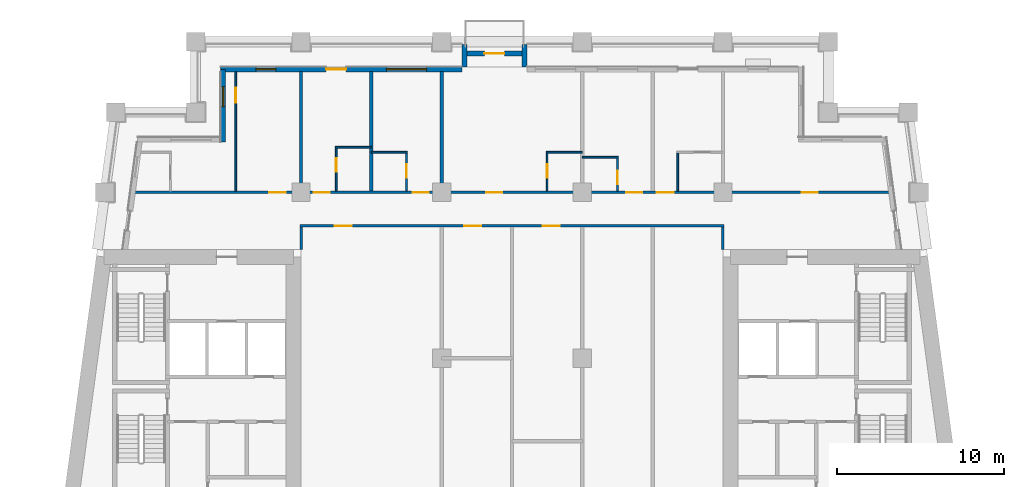
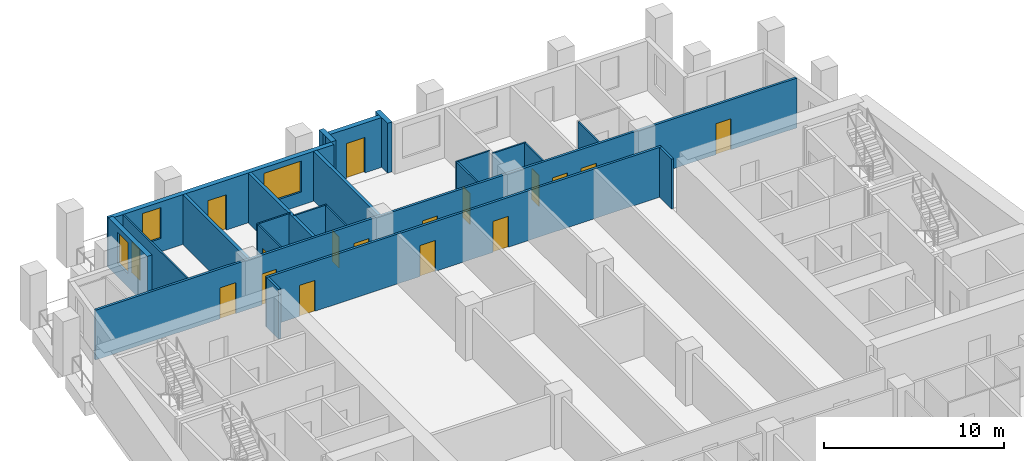
# One storey, part 6 of 12: 22 walls, 17 doors, 3 windows, 20 openings.
"""IFC4 building model written with IfcOpenShell, lengths in metres."""

from ifc_helpers import new_model, si_unit, direction, frame, frame_2d, origin, place, context, subcontext, project, spatial, rectangle, extrude, material, layer, layer_set, type_object, element, fill, save


model = new_model("IFC4")

# Units and contexts
model_context = context("Model", 3, precision=1e-05, world=origin(), true_north=direction((0.0, 1.0)))
body_context = subcontext(model_context, "Body", "Model", "MODEL_VIEW")
ifc_project = project(units=[si_unit("LENGTHUNIT", "METRE"), si_unit("AREAUNIT", "SQUARE_METRE"), si_unit("VOLUMEUNIT", "CUBIC_METRE"), si_unit("PLANEANGLEUNIT", "RADIAN"), si_unit("MASSUNIT", "GRAM", prefix="KILO")], contexts=[model_context])

# Site, building, storey
site_placement = place(None, origin())
site = spatial("IfcSite", under=ifc_project, at=site_placement, CompositionType="ELEMENT")
building_placement = place(site_placement, origin())
building = spatial("IfcBuilding", under=site, at=building_placement, Name="Candeia Pilgrim Tower and Theatre", CompositionType="ELEMENT")
storey_placement = place(building_placement, frame((0.0, 0.0, 162.60009765625)))
storey = spatial("IfcBuildingStorey", under=building, at=storey_placement, Name="L38", CompositionType="ELEMENT", Elevation=162.60009765625)

# Wall, openings, door, windows
ifc_material_1 = material(Name="Ceramic block masonry", Category="masonry")
ifc_layer_1 = layer(ifc_material_1, 0.300048828125)
ifc_layer_set_1 = layer_set([ifc_layer_1], Name="EW1 glazing-line wall 300")
wall_type_1 = type_object("IfcWallType", Name="EW1 glazing-line wall 300", PredefinedType="SOLIDWALL", material=ifc_layer_set_1)
wall_1_placement = place(storey_placement, frame((110.39990234375, 143.14990234375, 0.0), z_axis=(0.0, 0.0, 1.0), x_axis=(-1.0, 0.0, 0.0)))
wall_1 = element("IfcWall", 1, at=wall_1_placement, inside=storey, type_object=wall_type_1, Name="External wall L38-6.1", PredefinedType="SOLIDWALL", context=body_context, shape_type="SweptSolid", body=[
    extrude(rectangle(XDim=14.39990234375, YDim=0.300048828125, at=frame_2d((7.199951171875, 0.0))), origin(), (0.0, 0.0, 1.0), 3.3798828125),
])
opening_1_placement = place(wall_1_placement, frame((2.10009765625, 0.0, 0.89990234375)))
opening_1 = element("IfcOpeningElement", 2, at=opening_1_placement, cuts=wall_1, Name="Opening W-A", PredefinedType="OPENING", context=body_context, shape_type="SweptSolid", body=[
    extrude(rectangle(XDim=2.39990234375, YDim=2.10009765625, at=frame_2d((1.199951171875, 1.050048828125))), frame((0.0, 0.16015625, 0.0), z_axis=(0.0, -1.0, 0.0), x_axis=(1.0, 0.0, 0.0)), (0.0, 0.0, 1.0), 0.320068359375),
])
opening_2_placement = place(wall_1_placement, frame((6.89990234375, 0.0, 0.0)))
opening_2 = element("IfcOpeningElement", 3, at=opening_2_placement, cuts=wall_1, Name="Opening L38-ED368", PredefinedType="OPENING", context=body_context, shape_type="SweptSolid", body=[
    extrude(rectangle(XDim=1.199951171875, YDim=2.39990234375, at=frame_2d((0.60009765625, 1.199951171875))), frame((0.0, 0.16015625, 0.0), z_axis=(0.0, -1.0, 0.0), x_axis=(1.0, 0.0, 0.0)), (0.0, 0.0, 1.0), 0.320068359375),
])
opening_3_placement = place(wall_1_placement, frame((11.10009765625, 0.0, 0.89990234375)))
opening_3 = element("IfcOpeningElement", 4, at=opening_3_placement, cuts=wall_1, Name="Opening W-B", PredefinedType="OPENING", context=body_context, shape_type="SweptSolid", body=[
    extrude(rectangle(XDim=1.199951171875, YDim=2.10009765625, at=frame_2d((0.60009765625, 1.050048828125))), frame((0.0, 0.16015625, 0.0), z_axis=(0.0, -1.0, 0.0), x_axis=(1.0, 0.0, 0.0)), (0.0, 0.0, 1.0), 0.320068359375),
])
ifc_material_2 = material(Name="Aluminium framed glazed door", Category="aluminium")
door_type_1 = type_object("IfcDoorType", Name="Loggia door 1200x2400", OperationType="DOUBLE_DOOR_SINGLE_SWING", PredefinedType="DOOR", material=ifc_material_2)
door_1_placement = place(opening_2_placement, origin())
door_1 = element("IfcDoor", 5, at=door_1_placement, inside=storey, type_object=door_type_1, Name="Loggia door L38-ED368", OperationType="DOUBLE_DOOR_SINGLE_SWING", OverallHeight=2.39990234375, OverallWidth=1.199951171875, PredefinedType="DOOR", context=body_context, shape_type="SweptSolid", body=[
    extrude(rectangle(XDim=1.199951171875, YDim=2.39990234375, at=frame_2d((0.60009765625, 1.199951171875))), frame((0.0, 0.02490234375, 0.0), z_axis=(0.0, -1.0, 0.0), x_axis=(1.0, 0.0, 0.0)), (0.0, 0.0, 1.0), 0.050048828125),
])
fill(opening_2, door_1)
ifc_material_3 = material(Name="Aluminium framed double glazing", Category="aluminium")
window_type_1 = type_object("IfcWindowType", Name="W-A window 2400x2100", PartitioningType="DOUBLE_PANEL_VERTICAL", PredefinedType="WINDOW", material=ifc_material_3)
window_1_placement = place(opening_1_placement, origin())
window_1 = element("IfcWindow", 6, at=window_1_placement, inside=storey, type_object=window_type_1, Name="Window W-A L38", OverallHeight=2.10009765625, OverallWidth=2.39990234375, PartitioningType="SINGLE_PANEL", PredefinedType="WINDOW", context=body_context, shape_type="SweptSolid", body=[
    extrude(rectangle(XDim=2.39990234375, YDim=2.10009765625, at=frame_2d((1.199951171875, 1.050048828125))), frame((0.0, 0.030029296875, 0.0), z_axis=(0.0, -1.0, 0.0), x_axis=(1.0, 0.0, 0.0)), (0.0, 0.0, 1.0), 0.06005859375),
])
fill(opening_1, window_1)
window_type_2 = type_object("IfcWindowType", Name="W-B window 1200x2100", PartitioningType="SINGLE_PANEL", PredefinedType="WINDOW", material=ifc_material_3)
window_2_placement = place(opening_3_placement, origin())
window_2 = element("IfcWindow", 7, at=window_2_placement, inside=storey, type_object=window_type_2, Name="Window W-B L38", OverallHeight=2.10009765625, OverallWidth=1.199951171875, PartitioningType="SINGLE_PANEL", PredefinedType="WINDOW", context=body_context, shape_type="SweptSolid", body=[
    extrude(rectangle(XDim=1.199951171875, YDim=2.10009765625, at=frame_2d((0.60009765625, 1.050048828125))), frame((0.0, 0.030029296875, 0.0), z_axis=(0.0, -1.0, 0.0), x_axis=(1.0, 0.0, 0.0)), (0.0, 0.0, 1.0), 0.06005859375),
])
fill(opening_3, window_2)

# Wall, opening, window
wall_2_placement = place(storey_placement, frame((96.14990234375, 143.14990234375, 0.0), z_axis=(0.0, 0.0, 1.0), x_axis=(0.0, -1.0, 0.0)))
wall_2 = element("IfcWall", 8, at=wall_2_placement, inside=storey, type_object=wall_type_1, Name="External wall L38-7.0", PredefinedType="SOLIDWALL", context=body_context, shape_type="SweptSolid", body=[
    extrude(rectangle(XDim=4.349853515625, YDim=0.300048828125, at=frame_2d((2.1748046875, 0.0))), origin(), (0.0, 0.0, 1.0), 3.3798828125),
])
opening_4_placement = place(wall_2_placement, frame((1.02490234375, 0.0, 0.89990234375)))
opening_4 = element("IfcOpeningElement", 9, at=opening_4_placement, cuts=wall_2, Name="Opening W-B", PredefinedType="OPENING", context=body_context, shape_type="SweptSolid", body=[
    extrude(rectangle(XDim=1.199951171875, YDim=2.10009765625, at=frame_2d((0.60009765625, 1.050048828125))), frame((0.0, 0.16015625, 0.0), z_axis=(0.0, -1.0, 0.0), x_axis=(1.0, 0.0, 0.0)), (0.0, 0.0, 1.0), 0.320068359375),
])
window_3_placement = place(opening_4_placement, origin())
window_3 = element("IfcWindow", 10, at=window_3_placement, inside=storey, type_object=window_type_2, Name="Window W-B L38", OverallHeight=2.10009765625, OverallWidth=1.199951171875, PartitioningType="SINGLE_PANEL", PredefinedType="WINDOW", context=body_context, shape_type="SweptSolid", body=[
    extrude(rectangle(XDim=1.199951171875, YDim=2.10009765625, at=frame_2d((0.60009765625, 1.050048828125))), frame((0.0, 0.030029296875, 0.0), z_axis=(0.0, -1.0, 0.0), x_axis=(1.0, 0.0, 0.0)), (0.0, 0.0, 1.0), 0.06005859375),
])
fill(opening_4, window_3)

# Walls
ifc_layer_2 = layer(ifc_material_1, 0.300048828125)
ifc_layer_set_2 = layer_set([ifc_layer_2], Name="EW2 entrance infill wall 300")
wall_type_2 = type_object("IfcWallType", Name="EW2 entrance infill wall 300", PredefinedType="SOLIDWALL", material=ifc_layer_set_2)
for number, where, z_axis, x_axis, name in (
    (11, (114.14990234375, 143.300048828125, 0.0), (0.0, 0.0, 1.0), (0.0, 1.0, 0.0), "Alcove wall L38"),
    (12, (110.550048828125, 143.300048828125, 0.0), (0.0, 0.0, 1.0), (0.0, 1.0, 0.0), "Alcove wall L38"),
):
    element("IfcWall", number, at=place(storey_placement, frame(where, z_axis=z_axis, x_axis=x_axis)), inside=storey, type_object=wall_type_2, Name=name, PredefinedType="SOLIDWALL", context=body_context, shape_type="SweptSolid", body=[
        extrude(rectangle(XDim=1.349853515625, YDim=0.300048828125, at=frame_2d((0.6748046875, 0.0))), origin(), (0.0, 0.0, 1.0), 3.3798828125),
    ])

# Wall, opening, door
wall_3_placement = place(storey_placement, frame((114.300048828125, 144.10009765625, 0.0), z_axis=(0.0, 0.0, 1.0), x_axis=(-1.0, 0.0, 0.0)))
wall_3 = element("IfcWall", 13, at=wall_3_placement, inside=storey, type_object=wall_type_2, Name="Alcove wall L38", PredefinedType="SOLIDWALL", context=body_context, shape_type="SweptSolid", body=[
    extrude(rectangle(XDim=3.900146484375, YDim=0.300048828125, at=frame_2d((1.9501953125, 0.0))), origin(), (0.0, 0.0, 1.0), 3.3798828125),
])
opening_5_placement = place(wall_3_placement, frame((1.35009765625, 0.0, 0.0)))
opening_5 = element("IfcOpeningElement", 14, at=opening_5_placement, cuts=wall_3, Name="Opening L38-ED369", PredefinedType="OPENING", context=body_context, shape_type="SweptSolid", body=[
    extrude(rectangle(XDim=1.199951171875, YDim=2.39990234375, at=frame_2d((0.60009765625, 1.199951171875))), frame((0.0, 0.16015625, 0.0), z_axis=(0.0, -1.0, 0.0), x_axis=(1.0, 0.0, 0.0)), (0.0, 0.0, 1.0), 0.320068359375),
])
door_2_placement = place(opening_5_placement, origin())
door_2 = element("IfcDoor", 15, at=door_2_placement, inside=storey, type_object=door_type_1, Name="Balcony door L38-ED369", OperationType="DOUBLE_DOOR_SINGLE_SWING", OverallHeight=2.39990234375, OverallWidth=1.199951171875, PredefinedType="DOOR", context=body_context, shape_type="SweptSolid", body=[
    extrude(rectangle(XDim=1.199951171875, YDim=2.39990234375, at=frame_2d((0.60009765625, 1.199951171875))), frame((0.0, 0.02490234375, 0.0), z_axis=(0.0, -1.0, 0.0), x_axis=(1.0, 0.0, 0.0)), (0.0, 0.0, 1.0), 0.050048828125),
])
fill(opening_5, door_2)

# Walls
ifc_material_4 = material(Name="Gypsum board partition on steel studs", Category="steel")
ifc_layer_3 = layer(ifc_material_4, 0.10009765625)
ifc_layer_set_3 = layer_set([ifc_layer_3], Name="PW-100 room partition")
wall_type_3 = type_object("IfcWallType", Name="PW-100 room partition", PredefinedType="PARTITIONING", material=ifc_layer_set_3)
for number, where, z_axis, x_axis, name in (
    (16, (117.60009765625, 137.89990234375, 0.0), (0.0, 0.0, 1.0), (1.0, 0.0, 0.0), "Room partition L38-042"),
    (17, (105.0, 138.199951171875, 0.0), (0.0, 0.0, 1.0), (1.0, 0.0, 0.0), "Room partition L38-044"),
):
    element("IfcWall", number, at=place(storey_placement, frame(where, z_axis=z_axis, x_axis=x_axis)), inside=storey, type_object=wall_type_3, Name=name, PredefinedType="PARTITIONING", context=body_context, shape_type="SweptSolid", body=[
        extrude(rectangle(XDim=2.14990234375, YDim=0.10009765625, at=frame_2d((1.074951171875, 0.0))), origin(), (0.0, 0.0, 1.0), 3.3798828125),
    ])
wall_4_placement = place(storey_placement, frame((115.449951171875, 138.199951171875, 0.0), z_axis=(0.0, 0.0, 1.0), x_axis=(1.0, 0.0, 0.0)))
element("IfcWall", 18, at=wall_4_placement, inside=storey, type_object=wall_type_3, Name="Room partition L38-045", PredefinedType="PARTITIONING", context=body_context, shape_type="SweptSolid", body=[
    extrude(rectangle(XDim=2.150146484375, YDim=0.10009765625, at=frame_2d((1.0751953125, 0.0))), origin(), (0.0, 0.0, 1.0), 3.3798828125),
])
wall_5_placement = place(storey_placement, frame((102.85009765625, 138.5, 0.0), z_axis=(0.0, 0.0, 1.0), x_axis=(1.0, 0.0, 0.0)))
element("IfcWall", 19, at=wall_5_placement, inside=storey, type_object=wall_type_3, Name="Room partition L38-047", PredefinedType="PARTITIONING", context=body_context, shape_type="SweptSolid", body=[
    extrude(rectangle(XDim=2.14990234375, YDim=0.10009765625, at=frame_2d((1.074951171875, 0.0))), origin(), (0.0, 0.0, 1.0), 3.3798828125),
])

# Wall, opening, door
wall_6_placement = place(storey_placement, frame((96.89990234375, 135.875, 0.0), z_axis=(0.0, 0.0, 1.0), x_axis=(0.0, 1.0, 0.0)))
wall_6 = element("IfcWall", 20, at=wall_6_placement, inside=storey, type_object=wall_type_3, Name="Room partition L38-066", PredefinedType="PARTITIONING", context=body_context, shape_type="SweptSolid", body=[
    extrude(rectangle(XDim=7.135009765625, YDim=0.10009765625, at=frame_2d((3.5673828125, 0.0))), origin(), (0.0, 0.0, 1.0), 3.3798828125),
])
opening_6_placement = place(wall_6_placement, frame((5.2900390625, 0.0, 0.0)))
opening_6 = element("IfcOpeningElement", 21, at=opening_6_placement, cuts=wall_6, Name="Opening L38-D035", PredefinedType="OPENING", context=body_context, shape_type="SweptSolid", body=[
    extrude(rectangle(XDim=0.89990234375, YDim=2.10009765625, at=frame_2d((0.449951171875, 1.050048828125))), frame((0.0, 0.06005859375, 0.0), z_axis=(0.0, -1.0, 0.0), x_axis=(1.0, 0.0, 0.0)), (0.0, 0.0, 1.0), 0.1201171875),
])
ifc_material_5 = material(Name="Timber door leaf", Category="wood")
door_type_2 = type_object("IfcDoorType", Name="D-900", OperationType="NOTDEFINED", PredefinedType="DOOR", material=ifc_material_5)
door_3_placement = place(opening_6_placement, origin())
door_3 = element("IfcDoor", 22, at=door_3_placement, inside=storey, type_object=door_type_2, Name="Door L38-D035", OperationType="SINGLE_SWING_LEFT", OverallHeight=2.10009765625, OverallWidth=0.89990234375, PredefinedType="DOOR", context=body_context, shape_type="SweptSolid", body=[
    extrude(rectangle(XDim=0.89990234375, YDim=2.10009765625, at=frame_2d((0.449951171875, 1.050048828125))), frame((0.0, 0.02490234375, 0.0), z_axis=(0.0, -1.0, 0.0), x_axis=(1.0, 0.0, 0.0)), (0.0, 0.0, 1.0), 0.050048828125),
])
fill(opening_6, door_3)

wall_7_placement = place(storey_placement, frame((102.89990234375, 135.875, 0.0), z_axis=(0.0, 0.0, 1.0), x_axis=(0.0, 1.0, 0.0)))
wall_7 = element("IfcWall", 23, at=wall_7_placement, inside=storey, type_object=wall_type_3, Name="Room partition L38-075", PredefinedType="PARTITIONING", context=body_context, shape_type="SweptSolid", body=[
    extrude(rectangle(XDim=2.574951171875, YDim=0.10009765625, at=frame_2d((1.28759765625, 0.0))), origin(), (0.0, 0.0, 1.0), 3.3798828125),
])
opening_7_placement = place(wall_7_placement, frame((1.175048828125, 0.0, 0.0)))
opening_7 = element("IfcOpeningElement", 24, at=opening_7_placement, cuts=wall_7, Name="Opening L38-D038", PredefinedType="OPENING", context=body_context, shape_type="SweptSolid", body=[
    extrude(rectangle(XDim=0.800048828125, YDim=2.10009765625, at=frame_2d((0.39990234375, 1.050048828125))), frame((0.0, 0.06005859375, 0.0), z_axis=(0.0, -1.0, 0.0), x_axis=(1.0, 0.0, 0.0)), (0.0, 0.0, 1.0), 0.1201171875),
])
door_type_3 = type_object("IfcDoorType", Name="D-800", OperationType="NOTDEFINED", PredefinedType="DOOR", material=ifc_material_5)
door_4_placement = place(opening_7_placement, origin())
door_4 = element("IfcDoor", 25, at=door_4_placement, inside=storey, type_object=door_type_3, Name="Door L38-D038", OperationType="SINGLE_SWING_RIGHT", OverallHeight=2.10009765625, OverallWidth=0.800048828125, PredefinedType="DOOR", context=body_context, shape_type="SweptSolid", body=[
    extrude(rectangle(XDim=0.800048828125, YDim=2.10009765625, at=frame_2d((0.39990234375, 1.050048828125))), frame((0.0, 0.02490234375, 0.0), z_axis=(0.0, -1.0, 0.0), x_axis=(1.0, 0.0, 0.0)), (0.0, 0.0, 1.0), 0.050048828125),
])
fill(opening_7, door_4)

wall_8_placement = place(storey_placement, frame((107.10009765625, 135.875, 0.0), z_axis=(0.0, 0.0, 1.0), x_axis=(0.0, 1.0, 0.0)))
wall_8 = element("IfcWall", 26, at=wall_8_placement, inside=storey, type_object=wall_type_3, Name="Room partition L38-077", PredefinedType="PARTITIONING", context=body_context, shape_type="SweptSolid", body=[
    extrude(rectangle(XDim=2.27490234375, YDim=0.10009765625, at=frame_2d((1.137451171875, 0.0))), origin(), (0.0, 0.0, 1.0), 3.3798828125),
])
opening_8_placement = place(wall_8_placement, frame((0.81494140625, 0.0, 0.0)))
opening_8 = element("IfcOpeningElement", 27, at=opening_8_placement, cuts=wall_8, Name="Opening L38-D040", PredefinedType="OPENING", context=body_context, shape_type="SweptSolid", body=[
    extrude(rectangle(XDim=0.800048828125, YDim=2.10009765625, at=frame_2d((0.39990234375, 1.050048828125))), frame((0.0, 0.06005859375, 0.0), z_axis=(0.0, -1.0, 0.0), x_axis=(1.0, 0.0, 0.0)), (0.0, 0.0, 1.0), 0.1201171875),
])
door_5_placement = place(opening_8_placement, origin())
door_5 = element("IfcDoor", 28, at=door_5_placement, inside=storey, type_object=door_type_3, Name="Door L38-D040", OperationType="SINGLE_SWING_RIGHT", OverallHeight=2.10009765625, OverallWidth=0.800048828125, PredefinedType="DOOR", context=body_context, shape_type="SweptSolid", body=[
    extrude(rectangle(XDim=0.800048828125, YDim=2.10009765625, at=frame_2d((0.39990234375, 1.050048828125))), frame((0.0, 0.02490234375, 0.0), z_axis=(0.0, -1.0, 0.0), x_axis=(1.0, 0.0, 0.0)), (0.0, 0.0, 1.0), 0.050048828125),
])
fill(opening_8, door_5)

wall_9_placement = place(storey_placement, frame((115.5, 135.875, 0.0), z_axis=(0.0, 0.0, 1.0), x_axis=(0.0, 1.0, 0.0)))
wall_9 = element("IfcWall", 29, at=wall_9_placement, inside=storey, type_object=wall_type_3, Name="Room partition L38-085", PredefinedType="PARTITIONING", context=body_context, shape_type="SweptSolid", body=[
    extrude(rectangle(XDim=2.27490234375, YDim=0.10009765625, at=frame_2d((1.137451171875, 0.0))), origin(), (0.0, 0.0, 1.0), 3.3798828125),
])
opening_9_placement = place(wall_9_placement, frame((0.81494140625, 0.0, 0.0)))
opening_9 = element("IfcOpeningElement", 30, at=opening_9_placement, cuts=wall_9, Name="Opening L38-D042", PredefinedType="OPENING", context=body_context, shape_type="SweptSolid", body=[
    extrude(rectangle(XDim=0.800048828125, YDim=2.10009765625, at=frame_2d((0.39990234375, 1.050048828125))), frame((0.0, 0.06005859375, 0.0), z_axis=(0.0, -1.0, 0.0), x_axis=(1.0, 0.0, 0.0)), (0.0, 0.0, 1.0), 0.1201171875),
])
door_6_placement = place(opening_9_placement, origin())
door_6 = element("IfcDoor", 31, at=door_6_placement, inside=storey, type_object=door_type_3, Name="Door L38-D042", OperationType="SINGLE_SWING_RIGHT", OverallHeight=2.10009765625, OverallWidth=0.800048828125, PredefinedType="DOOR", context=body_context, shape_type="SweptSolid", body=[
    extrude(rectangle(XDim=0.800048828125, YDim=2.10009765625, at=frame_2d((0.39990234375, 1.050048828125))), frame((0.0, 0.02490234375, 0.0), z_axis=(0.0, -1.0, 0.0), x_axis=(1.0, 0.0, 0.0)), (0.0, 0.0, 1.0), 0.050048828125),
])
fill(opening_9, door_6)

wall_10_placement = place(storey_placement, frame((119.699951171875, 135.875, 0.0), z_axis=(0.0, 0.0, 1.0), x_axis=(0.0, 1.0, 0.0)))
wall_10 = element("IfcWall", 32, at=wall_10_placement, inside=storey, type_object=wall_type_3, Name="Room partition L38-089", PredefinedType="PARTITIONING", context=body_context, shape_type="SweptSolid", body=[
    extrude(rectangle(XDim=1.97509765625, YDim=0.10009765625, at=frame_2d((0.987548828125, 0.0))), origin(), (0.0, 0.0, 1.0), 3.3798828125),
])
opening_10_placement = place(wall_10_placement, frame((0.425048828125, 0.0, 0.0)))
opening_10 = element("IfcOpeningElement", 33, at=opening_10_placement, cuts=wall_10, Name="Opening L38-D044", PredefinedType="OPENING", context=body_context, shape_type="SweptSolid", body=[
    extrude(rectangle(XDim=0.800048828125, YDim=2.10009765625, at=frame_2d((0.39990234375, 1.050048828125))), frame((0.0, 0.06005859375, 0.0), z_axis=(0.0, -1.0, 0.0), x_axis=(1.0, 0.0, 0.0)), (0.0, 0.0, 1.0), 0.1201171875),
])
door_7_placement = place(opening_10_placement, origin())
door_7 = element("IfcDoor", 34, at=door_7_placement, inside=storey, type_object=door_type_3, Name="Door L38-D044", OperationType="SINGLE_SWING_RIGHT", OverallHeight=2.10009765625, OverallWidth=0.800048828125, PredefinedType="DOOR", context=body_context, shape_type="SweptSolid", body=[
    extrude(rectangle(XDim=0.800048828125, YDim=2.10009765625, at=frame_2d((0.39990234375, 1.050048828125))), frame((0.0, 0.02490234375, 0.0), z_axis=(0.0, -1.0, 0.0), x_axis=(1.0, 0.0, 0.0)), (0.0, 0.0, 1.0), 0.050048828125),
])
fill(opening_10, door_7)

# Wall
wall_11_placement = place(storey_placement, frame((123.300048828125, 135.875, 0.0), z_axis=(0.0, 0.0, 1.0), x_axis=(0.0, 1.0, 0.0)))
element("IfcWall", 35, at=wall_11_placement, inside=storey, type_object=wall_type_3, Name="Room partition L38-092", PredefinedType="PARTITIONING", context=body_context, shape_type="SweptSolid", body=[
    extrude(rectangle(XDim=2.27490234375, YDim=0.10009765625, at=frame_2d((1.137451171875, 0.0))), origin(), (0.0, 0.0, 1.0), 3.3798828125),
])

# Wall, openings, doors
ifc_layer_4 = layer(ifc_material_4, 0.14990234375)
ifc_layer_set_4 = layer_set([ifc_layer_4], Name="PW-150 unit wall")
wall_type_4 = type_object("IfcWallType", Name="PW-150 unit wall", PredefinedType="PARTITIONING", material=ifc_layer_set_4)
wall_12_placement = place(storey_placement, frame((100.72509765625, 133.800048828125, 0.0), z_axis=(0.0, 0.0, 1.0), x_axis=(1.0, 0.0, 0.0)))
wall_12 = element("IfcWall", 36, at=wall_12_placement, inside=storey, type_object=wall_type_4, Name="Unit wall L38-040", PredefinedType="PARTITIONING", context=body_context, shape_type="SweptSolid", body=[
    extrude(rectangle(XDim=25.349853515625, YDim=0.14990234375, at=frame_2d((12.6748046875, 0.0))), origin(), (0.0, 0.0, 1.0), 3.3798828125),
])
opening_11_placement = place(wall_12_placement, frame((2.10009765625, 0.0, 0.0)))
opening_11 = element("IfcOpeningElement", 37, at=opening_11_placement, cuts=wall_12, Name="Opening L38-D049", PredefinedType="OPENING", context=body_context, shape_type="SweptSolid", body=[
    extrude(rectangle(XDim=1.0, YDim=2.10009765625, at=frame_2d((0.5, 1.050048828125))), frame((0.0, 0.0849609375, 0.0), z_axis=(0.0, -1.0, 0.0), x_axis=(1.0, 0.0, 0.0)), (0.0, 0.0, 1.0), 0.169921875),
])
opening_12_placement = place(wall_12_placement, frame((9.824951171875, 0.0, 0.0)))
opening_12 = element("IfcOpeningElement", 38, at=opening_12_placement, cuts=wall_12, Name="Opening L38-D051", PredefinedType="OPENING", context=body_context, shape_type="SweptSolid", body=[
    extrude(rectangle(XDim=1.0, YDim=2.10009765625, at=frame_2d((0.5, 1.050048828125))), frame((0.0, 0.0849609375, 0.0), z_axis=(0.0, -1.0, 0.0), x_axis=(1.0, 0.0, 0.0)), (0.0, 0.0, 1.0), 0.169921875),
])
opening_13_placement = place(wall_12_placement, frame((14.52490234375, 0.0, 0.0)))
opening_13 = element("IfcOpeningElement", 39, at=opening_13_placement, cuts=wall_12, Name="Opening L38-D053", PredefinedType="OPENING", context=body_context, shape_type="SweptSolid", body=[
    extrude(rectangle(XDim=1.0, YDim=2.10009765625, at=frame_2d((0.5, 1.050048828125))), frame((0.0, 0.0849609375, 0.0), z_axis=(0.0, -1.0, 0.0), x_axis=(1.0, 0.0, 0.0)), (0.0, 0.0, 1.0), 0.169921875),
])
ifc_material_6 = material(Name="Steel fire door set", Category="steel")
door_type_4 = type_object("IfcDoorType", Name="D-1000-FD30S", OperationType="NOTDEFINED", PredefinedType="DOOR", material=ifc_material_6)
door_8_placement = place(opening_11_placement, origin())
door_8 = element("IfcDoor", 40, at=door_8_placement, inside=storey, type_object=door_type_4, Name="Door L38-D049", OperationType="SINGLE_SWING_LEFT", OverallHeight=2.10009765625, OverallWidth=1.0, PredefinedType="DOOR", context=body_context, shape_type="SweptSolid", body=[
    extrude(rectangle(XDim=1.0, YDim=2.10009765625, at=frame_2d((0.5, 1.050048828125))), frame((0.0, 0.02490234375, 0.0), z_axis=(0.0, -1.0, 0.0), x_axis=(1.0, 0.0, 0.0)), (0.0, 0.0, 1.0), 0.050048828125),
])
fill(opening_11, door_8)
door_9_placement = place(opening_12_placement, origin())
door_9 = element("IfcDoor", 41, at=door_9_placement, inside=storey, type_object=door_type_4, Name="Door L38-D051", OperationType="SINGLE_SWING_LEFT", OverallHeight=2.10009765625, OverallWidth=1.0, PredefinedType="DOOR", context=body_context, shape_type="SweptSolid", body=[
    extrude(rectangle(XDim=1.0, YDim=2.10009765625, at=frame_2d((0.5, 1.050048828125))), frame((0.0, 0.02490234375, 0.0), z_axis=(0.0, -1.0, 0.0), x_axis=(1.0, 0.0, 0.0)), (0.0, 0.0, 1.0), 0.050048828125),
])
fill(opening_12, door_9)
door_10_placement = place(opening_13_placement, origin())
door_10 = element("IfcDoor", 42, at=door_10_placement, inside=storey, type_object=door_type_4, Name="Door L38-D053", OperationType="SINGLE_SWING_LEFT", OverallHeight=2.10009765625, OverallWidth=1.0, PredefinedType="DOOR", context=body_context, shape_type="SweptSolid", body=[
    extrude(rectangle(XDim=1.0, YDim=2.10009765625, at=frame_2d((0.5, 1.050048828125))), frame((0.0, 0.02490234375, 0.0), z_axis=(0.0, -1.0, 0.0), x_axis=(1.0, 0.0, 0.0)), (0.0, 0.0, 1.0), 0.050048828125),
])
fill(opening_13, door_10)

wall_13_placement = place(storey_placement, frame((90.89453125, 135.800048828125, 0.0), z_axis=(0.0, 0.0, 1.0), x_axis=(1.0, 0.0, 0.0)))
wall_13 = element("IfcWall", 43, at=wall_13_placement, inside=storey, type_object=wall_type_4, Name="Unit wall L38-041", PredefinedType="PARTITIONING", context=body_context, shape_type="SweptSolid", body=[
    extrude(rectangle(XDim=45.010986328125, YDim=0.14990234375, at=frame_2d((22.50537109375, 0.0))), origin(), (0.0, 0.0, 1.0), 3.3798828125),
])
opening_14_placement = place(wall_13_placement, frame((8.00537109375, 0.0, 0.0)))
opening_14 = element("IfcOpeningElement", 44, at=opening_14_placement, cuts=wall_13, Name="Opening L38-D034", PredefinedType="OPENING", context=body_context, shape_type="SweptSolid", body=[
    extrude(rectangle(XDim=1.0, YDim=2.10009765625, at=frame_2d((0.5, 1.050048828125))), frame((0.0, 0.0849609375, 0.0), z_axis=(0.0, -1.0, 0.0), x_axis=(1.0, 0.0, 0.0)), (0.0, 0.0, 1.0), 0.169921875),
])
opening_15_placement = place(wall_13_placement, frame((10.67041015625, 0.0, 0.0)))
opening_15 = element("IfcOpeningElement", 45, at=opening_15_placement, cuts=wall_13, Name="Opening L38-D037", PredefinedType="OPENING", context=body_context, shape_type="SweptSolid", body=[
    extrude(rectangle(XDim=0.949951171875, YDim=2.10009765625, at=frame_2d((0.47509765625, 1.050048828125))), frame((0.0, 0.0849609375, 0.0), z_axis=(0.0, -1.0, 0.0), x_axis=(1.0, 0.0, 0.0)), (0.0, 0.0, 1.0), 0.169921875),
])
opening_16_placement = place(wall_13_placement, frame((16.59033203125, 0.0, 0.0)))
opening_16 = element("IfcOpeningElement", 46, at=opening_16_placement, cuts=wall_13, Name="Opening L38-D039", PredefinedType="OPENING", context=body_context, shape_type="SweptSolid", body=[
    extrude(rectangle(XDim=0.949951171875, YDim=2.10009765625, at=frame_2d((0.47509765625, 1.050048828125))), frame((0.0, 0.0849609375, 0.0), z_axis=(0.0, -1.0, 0.0), x_axis=(1.0, 0.0, 0.0)), (0.0, 0.0, 1.0), 0.169921875),
])
opening_17_placement = place(wall_13_placement, frame((20.98046875, 0.0, 0.0)))
opening_17 = element("IfcOpeningElement", 47, at=opening_17_placement, cuts=wall_13, Name="Opening L38-D041", PredefinedType="OPENING", context=body_context, shape_type="SweptSolid", body=[
    extrude(rectangle(XDim=0.949951171875, YDim=2.10009765625, at=frame_2d((0.47509765625, 1.050048828125))), frame((0.0, 0.0849609375, 0.0), z_axis=(0.0, -1.0, 0.0), x_axis=(1.0, 0.0, 0.0)), (0.0, 0.0, 1.0), 0.169921875),
])
opening_18_placement = place(wall_13_placement, frame((29.33544921875, 0.0, 0.0)))
opening_18 = element("IfcOpeningElement", 48, at=opening_18_placement, cuts=wall_13, Name="Opening L38-D043", PredefinedType="OPENING", context=body_context, shape_type="SweptSolid", body=[
    extrude(rectangle(XDim=0.949951171875, YDim=2.10009765625, at=frame_2d((0.47509765625, 1.050048828125))), frame((0.0, 0.0849609375, 0.0), z_axis=(0.0, -1.0, 0.0), x_axis=(1.0, 0.0, 0.0)), (0.0, 0.0, 1.0), 0.169921875),
])
opening_19_placement = place(wall_13_placement, frame((31.155517578125, 0.0, 0.0)))
opening_19 = element("IfcOpeningElement", 49, at=opening_19_placement, cuts=wall_13, Name="Opening L38-D045", PredefinedType="OPENING", context=body_context, shape_type="SweptSolid", body=[
    extrude(rectangle(XDim=1.0, YDim=2.10009765625, at=frame_2d((0.5, 1.050048828125))), frame((0.0, 0.0849609375, 0.0), z_axis=(0.0, -1.0, 0.0), x_axis=(1.0, 0.0, 0.0)), (0.0, 0.0, 1.0), 0.169921875),
])
opening_20_placement = place(wall_13_placement, frame((39.814453125, 0.0, 0.0)))
opening_20 = element("IfcOpeningElement", 50, at=opening_20_placement, cuts=wall_13, Name="Opening L38-D047", PredefinedType="OPENING", context=body_context, shape_type="SweptSolid", body=[
    extrude(rectangle(XDim=0.949951171875, YDim=2.10009765625, at=frame_2d((0.47509765625, 1.050048828125))), frame((0.0, 0.0849609375, 0.0), z_axis=(0.0, -1.0, 0.0), x_axis=(1.0, 0.0, 0.0)), (0.0, 0.0, 1.0), 0.169921875),
])
door_11_placement = place(opening_14_placement, origin())
door_11 = element("IfcDoor", 51, at=door_11_placement, inside=storey, type_object=door_type_4, Name="Door L38-D034", OperationType="SINGLE_SWING_RIGHT", OverallHeight=2.10009765625, OverallWidth=1.0, PredefinedType="DOOR", context=body_context, shape_type="SweptSolid", body=[
    extrude(rectangle(XDim=1.0, YDim=2.10009765625, at=frame_2d((0.5, 1.050048828125))), frame((0.0, 0.02490234375, 0.0), z_axis=(0.0, -1.0, 0.0), x_axis=(1.0, 0.0, 0.0)), (0.0, 0.0, 1.0), 0.050048828125),
])
fill(opening_14, door_11)
door_12_placement = place(opening_19_placement, origin())
door_12 = element("IfcDoor", 52, at=door_12_placement, inside=storey, type_object=door_type_4, Name="Door L38-D045", OperationType="SINGLE_SWING_LEFT", OverallHeight=2.10009765625, OverallWidth=1.0, PredefinedType="DOOR", context=body_context, shape_type="SweptSolid", body=[
    extrude(rectangle(XDim=1.0, YDim=2.10009765625, at=frame_2d((0.5, 1.050048828125))), frame((0.0, 0.02490234375, 0.0), z_axis=(0.0, -1.0, 0.0), x_axis=(1.0, 0.0, 0.0)), (0.0, 0.0, 1.0), 0.050048828125),
])
fill(opening_19, door_12)
door_type_5 = type_object("IfcDoorType", Name="D-950-FD30S", OperationType="NOTDEFINED", PredefinedType="DOOR", material=ifc_material_6)
door_13_placement = place(opening_15_placement, origin())
door_13 = element("IfcDoor", 53, at=door_13_placement, inside=storey, type_object=door_type_5, Name="Door L38-D037", OperationType="SINGLE_SWING_LEFT", OverallHeight=2.10009765625, OverallWidth=0.949951171875, PredefinedType="DOOR", context=body_context, shape_type="SweptSolid", body=[
    extrude(rectangle(XDim=0.949951171875, YDim=2.10009765625, at=frame_2d((0.47509765625, 1.050048828125))), frame((0.0, 0.02490234375, 0.0), z_axis=(0.0, -1.0, 0.0), x_axis=(1.0, 0.0, 0.0)), (0.0, 0.0, 1.0), 0.050048828125),
])
fill(opening_15, door_13)
door_14_placement = place(opening_16_placement, origin())
door_14 = element("IfcDoor", 54, at=door_14_placement, inside=storey, type_object=door_type_5, Name="Door L38-D039", OperationType="SINGLE_SWING_LEFT", OverallHeight=2.10009765625, OverallWidth=0.949951171875, PredefinedType="DOOR", context=body_context, shape_type="SweptSolid", body=[
    extrude(rectangle(XDim=0.949951171875, YDim=2.10009765625, at=frame_2d((0.47509765625, 1.050048828125))), frame((0.0, 0.02490234375, 0.0), z_axis=(0.0, -1.0, 0.0), x_axis=(1.0, 0.0, 0.0)), (0.0, 0.0, 1.0), 0.050048828125),
])
fill(opening_16, door_14)
door_15_placement = place(opening_17_placement, origin())
door_15 = element("IfcDoor", 55, at=door_15_placement, inside=storey, type_object=door_type_5, Name="Door L38-D041", OperationType="SINGLE_SWING_LEFT", OverallHeight=2.10009765625, OverallWidth=0.949951171875, PredefinedType="DOOR", context=body_context, shape_type="SweptSolid", body=[
    extrude(rectangle(XDim=0.949951171875, YDim=2.10009765625, at=frame_2d((0.47509765625, 1.050048828125))), frame((0.0, 0.02490234375, 0.0), z_axis=(0.0, -1.0, 0.0), x_axis=(1.0, 0.0, 0.0)), (0.0, 0.0, 1.0), 0.050048828125),
])
fill(opening_17, door_15)
door_16_placement = place(opening_18_placement, origin())
door_16 = element("IfcDoor", 56, at=door_16_placement, inside=storey, type_object=door_type_5, Name="Door L38-D043", OperationType="SINGLE_SWING_LEFT", OverallHeight=2.10009765625, OverallWidth=0.949951171875, PredefinedType="DOOR", context=body_context, shape_type="SweptSolid", body=[
    extrude(rectangle(XDim=0.949951171875, YDim=2.10009765625, at=frame_2d((0.47509765625, 1.050048828125))), frame((0.0, 0.02490234375, 0.0), z_axis=(0.0, -1.0, 0.0), x_axis=(1.0, 0.0, 0.0)), (0.0, 0.0, 1.0), 0.050048828125),
])
fill(opening_18, door_16)
door_17_placement = place(opening_20_placement, origin())
door_17 = element("IfcDoor", 57, at=door_17_placement, inside=storey, type_object=door_type_5, Name="Door L38-D047", OperationType="SINGLE_SWING_LEFT", OverallHeight=2.10009765625, OverallWidth=0.949951171875, PredefinedType="DOOR", context=body_context, shape_type="SweptSolid", body=[
    extrude(rectangle(XDim=0.949951171875, YDim=2.10009765625, at=frame_2d((0.47509765625, 1.050048828125))), frame((0.0, 0.02490234375, 0.0), z_axis=(0.0, -1.0, 0.0), x_axis=(1.0, 0.0, 0.0)), (0.0, 0.0, 1.0), 0.050048828125),
])
fill(opening_20, door_17)

# Walls
for number, where, z_axis, x_axis, name in (
    (58, (100.800048828125, 132.39990234375, 0.0), (0.0, 0.0, 1.0), (0.0, 1.0, 0.0), "Unit wall L38-074"),
    (59, (126.0, 132.39990234375, 0.0), (0.0, 0.0, 1.0), (0.0, 1.0, 0.0), "Unit wall L38-096"),
):
    element("IfcWall", number, at=place(storey_placement, frame(where, z_axis=z_axis, x_axis=x_axis)), inside=storey, type_object=wall_type_4, Name=name, PredefinedType="PARTITIONING", context=body_context, shape_type="SweptSolid", body=[
        extrude(rectangle(XDim=1.3251953125, YDim=0.14990234375, at=frame_2d((0.66259765625, 0.0))), origin(), (0.0, 0.0, 1.0), 3.3798828125),
    ])
ifc_layer_5 = layer(ifc_material_4, 0.199951171875)
ifc_layer_set_5 = layer_set([ifc_layer_5], Name="PW-200 party wall")
wall_type_5 = type_object("IfcWallType", Name="PW-200 party wall", PredefinedType="PARTITIONING", material=ifc_layer_set_5)
for number, where, z_axis, x_axis, name in (
    (60, (100.800048828125, 135.875, 0.0), (0.0, 0.0, 1.0), (0.0, 1.0, 0.0), "Party wall L38-072"),
    (61, (105.0, 135.875, 0.0), (0.0, 0.0, 1.0), (0.0, 1.0, 0.0), "Party wall L38-076"),
    (62, (109.199951171875, 135.875, 0.0), (0.0, 0.0, 1.0), (0.0, 1.0, 0.0), "Party wall L38-080"),
):
    element("IfcWall", number, at=place(storey_placement, frame(where, z_axis=z_axis, x_axis=x_axis)), inside=storey, type_object=wall_type_5, Name=name, PredefinedType="PARTITIONING", context=body_context, shape_type="SweptSolid", body=[
        extrude(rectangle(XDim=7.135009765625, YDim=0.199951171875, at=frame_2d((3.5673828125, 0.0))), origin(), (0.0, 0.0, 1.0), 3.3798828125),
    ])

save(model, "model.ifc")
